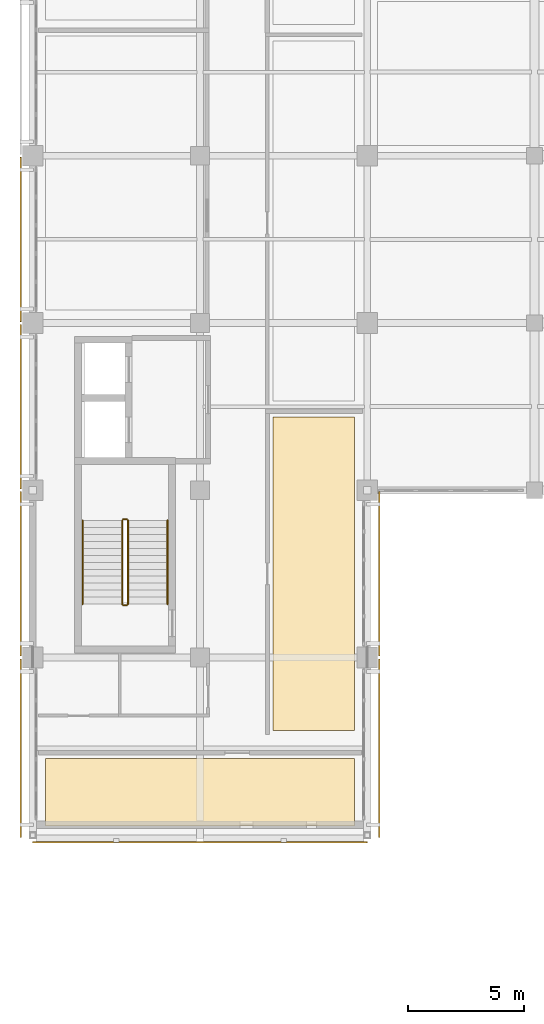
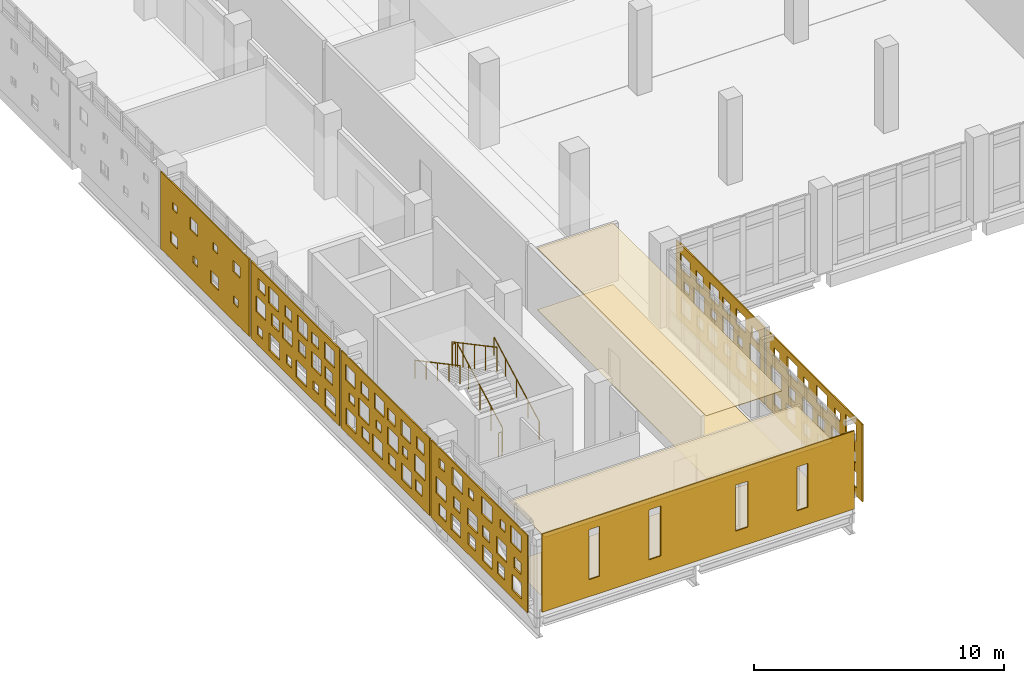
# One storey, part 52 of 62: 11 coverings, 6 railings.
"""IFC4 building model written with IfcOpenShell, lengths in metres."""

from ifc_helpers import new_model, si_unit, direction, frame, origin, origin_2d, place, context, subcontext, project, spatial, polyline, circle, outline, extrude, material, layer, layer_set, type_object, element, save


model = new_model("IFC4")

# Units and contexts
model_context = context("Model", 3, precision=1e-05, world=origin(), true_north=direction((0.0, 1.0)))
body_context = subcontext(model_context, "Body", "Model", "MODEL_VIEW")
ifc_project = project(units=[si_unit("LENGTHUNIT", "METRE"), si_unit("AREAUNIT", "SQUARE_METRE"), si_unit("VOLUMEUNIT", "CUBIC_METRE"), si_unit("PLANEANGLEUNIT", "RADIAN"), si_unit("MASSUNIT", "GRAM", prefix="KILO")], contexts=[model_context])

# Site, building, storey
site_placement = place(None, origin())
site = spatial("IfcSite", under=ifc_project, at=site_placement, CompositionType="ELEMENT")
building_placement = place(site_placement, origin())
building = spatial("IfcBuilding", under=site, at=building_placement, Name="Valkovuoma Quantum and Materials Research Institute", CompositionType="ELEMENT")
storey_placement = place(building_placement, frame((0.0, 0.0, 8.9599609375)))
storey = spatial("IfcBuildingStorey", under=building, at=storey_placement, Name="L02", CompositionType="ELEMENT", Elevation=8.9599609375)

# Coverings
ifc_material_1 = material(Name="Cleanable acoustic mineral-fibre suspended ceiling", Category="masonry")
ifc_layer_1 = layer(ifc_material_1, 0.02490234375)
ifc_layer_set_1 = layer_set([ifc_layer_1], Name="Cleanable acoustic mineral-fibre suspended ceiling")
covering_type_1 = type_object("IfcCoveringType", Name="Cov-CEIL-01", PredefinedType="CEILING", material=ifc_layer_set_1)
covering_1_placement = place(storey_placement, frame((0.0, 0.0, 3.0)))
element("IfcCovering", 1, at=covering_1_placement, inside=storey, type_object=covering_type_1, Name="L02 acoustic ceiling 0053", PredefinedType="CEILING", context=body_context, shape_type="SweptSolid", body=[
    extrude(outline(polyline([(0.550048828125, 21.550048828125), (13.85009765625, 21.550048828125), (13.85009765625, 24.449951171875), (0.550048828125, 24.449951171875), (0.550048828125, 21.550048828125)])), origin(), (0.0, 0.0, 1.0), 0.025146484375),
])
covering_2_placement = place(storey_placement, frame((0.0, 0.0, 3.0)))
element("IfcCovering", 2, at=covering_2_placement, inside=storey, type_object=covering_type_1, Name="L02 acoustic ceiling 0057", PredefinedType="CEILING", context=body_context, shape_type="SweptSolid", body=[
    extrude(outline(polyline([(10.35009765625, 25.64990234375), (13.85009765625, 25.64990234375), (13.85009765625, 39.14990234375), (10.35009765625, 39.14990234375), (10.35009765625, 25.64990234375)])), origin(), (0.0, 0.0, 1.0), 0.025146484375),
])
ifc_material_2 = material(Name="Seamless dissipative laboratory resin flooring", Category="masonry")
ifc_layer_2 = layer(ifc_material_2, 0.014892578125)
ifc_layer_set_2 = layer_set([ifc_layer_2], Name="Seamless dissipative laboratory resin flooring")
covering_type_2 = type_object("IfcCoveringType", Name="Cov-FLOR-01", PredefinedType="FLOORING", material=ifc_layer_set_2)
covering_3_placement = place(storey_placement, origin())
element("IfcCovering", 3, at=covering_3_placement, inside=storey, type_object=covering_type_2, Name="L02 resin flooring 0053", PredefinedType="FLOORING", context=body_context, shape_type="SweptSolid", body=[
    extrude(outline(polyline([(0.550048828125, 21.550048828125), (13.85009765625, 21.550048828125), (13.85009765625, 24.449951171875), (0.550048828125, 24.449951171875), (0.550048828125, 21.550048828125)])), origin(), (0.0, 0.0, 1.0), 0.01513671875),
])
covering_4_placement = place(storey_placement, origin())
element("IfcCovering", 4, at=covering_4_placement, inside=storey, type_object=covering_type_2, Name="L02 resin flooring 0057", PredefinedType="FLOORING", context=body_context, shape_type="SweptSolid", body=[
    extrude(outline(polyline([(10.35009765625, 25.64990234375), (13.85009765625, 25.64990234375), (13.85009765625, 39.14990234375), (10.35009765625, 39.14990234375), (10.35009765625, 25.64990234375)])), origin(), (0.0, 0.0, 1.0), 0.01513671875),
])
ifc_material_3 = material(Name="White powder-coated aluminium architectural panel", Category="aluminium")
ifc_layer_3 = layer(ifc_material_3, 0.054931640625)
ifc_layer_set_3 = layer_set([ifc_layer_3], Name="White powder-coated aluminium architectural panel")
covering_type_3 = type_object("IfcCoveringType", Name="Cov-PERF-DENSE", PredefinedType="CLADDING", material=ifc_layer_set_3)
covering_5_placement = place(storey_placement, frame((-0.52001953125, 21.06005859375, 0.02001953125), z_axis=(0.0, 0.0, 1.0), x_axis=(0.0, 1.0, 0.0)))
element("IfcCovering", 5, at=covering_5_placement, inside=storey, type_object=covering_type_3, Name="L02 graduated perforated white screen W-0013", PredefinedType="CLADDING", context=body_context, shape_type="SweptSolid", body=[
    extrude(outline(polyline([(0.0, 0.0), (7.679931640625, 0.0), (7.679931640625, 3.77001953125), (0.0, 3.77001953125), (0.0, 0.0)]), holes=[polyline([(0.46826171875, 0.39501953125), (0.46826171875, 1.155029296875), (1.228271484375, 1.155029296875), (1.228271484375, 0.39501953125), (0.46826171875, 0.39501953125)]), polyline([(0.518310546875, 1.56494140625), (0.518310546875, 2.10498046875), (1.058349609375, 2.10498046875), (1.058349609375, 1.56494140625), (0.518310546875, 1.56494140625)]), polyline([(0.48828125, 2.625), (0.48828125, 3.465087890625), (1.328369140625, 3.465087890625), (1.328369140625, 2.625), (0.48828125, 2.625)]), polyline([(1.81494140625, 0.485107421875), (1.81494140625, 1.06494140625), (2.39501953125, 1.06494140625), (2.39501953125, 0.485107421875), (1.81494140625, 0.485107421875)]), polyline([(1.64501953125, 1.43505859375), (1.64501953125, 2.235107421875), (2.445068359375, 2.235107421875), (2.445068359375, 1.43505859375), (1.64501953125, 1.43505859375)]), polyline([(1.77490234375, 2.8349609375), (1.77490234375, 3.2548828125), (2.195068359375, 3.2548828125), (2.195068359375, 2.8349609375), (1.77490234375, 2.8349609375)]), polyline([(2.8017578125, 0.39501953125), (2.8017578125, 1.155029296875), (3.561767578125, 1.155029296875), (3.561767578125, 0.39501953125), (2.8017578125, 0.39501953125)]), polyline([(3.03173828125, 1.56494140625), (3.03173828125, 2.10498046875), (3.57177734375, 2.10498046875), (3.57177734375, 1.56494140625), (3.03173828125, 1.56494140625)]), polyline([(2.82177734375, 2.625), (2.82177734375, 3.465087890625), (3.66162109375, 3.465087890625), (3.66162109375, 2.625), (2.82177734375, 2.625)]), polyline([(4.148193359375, 0.485107421875), (4.148193359375, 1.06494140625), (4.728271484375, 1.06494140625), (4.728271484375, 0.485107421875), (4.148193359375, 0.485107421875)]), polyline([(3.978271484375, 1.43505859375), (3.978271484375, 2.235107421875), (4.7783203125, 2.235107421875), (4.7783203125, 1.43505859375), (3.978271484375, 1.43505859375)]), polyline([(4.288330078125, 2.8349609375), (4.288330078125, 3.2548828125), (4.708251953125, 3.2548828125), (4.708251953125, 2.8349609375), (4.288330078125, 2.8349609375)]), polyline([(5.31494140625, 0.39501953125), (5.31494140625, 1.155029296875), (6.074951171875, 1.155029296875), (6.074951171875, 0.39501953125), (5.31494140625, 0.39501953125)]), polyline([(5.364990234375, 1.56494140625), (5.364990234375, 2.10498046875), (5.905029296875, 2.10498046875), (5.905029296875, 1.56494140625), (5.364990234375, 1.56494140625)]), polyline([(5.155029296875, 2.625), (5.155029296875, 3.465087890625), (5.9951171875, 3.465087890625), (5.9951171875, 2.625), (5.155029296875, 2.625)]), polyline([(6.481689453125, 0.485107421875), (6.481689453125, 1.06494140625), (7.061767578125, 1.06494140625), (7.061767578125, 0.485107421875), (6.481689453125, 0.485107421875)]), polyline([(6.49169921875, 1.43505859375), (6.49169921875, 2.235107421875), (7.291748046875, 2.235107421875), (7.291748046875, 1.43505859375), (6.49169921875, 1.43505859375)]), polyline([(6.62158203125, 2.8349609375), (6.62158203125, 3.2548828125), (7.041748046875, 3.2548828125), (7.041748046875, 2.8349609375), (6.62158203125, 2.8349609375)])]), frame((0.0, 0.02734375, 0.0), z_axis=(0.0, -1.0, 0.0), x_axis=(1.0, 0.0, 0.0)), (0.0, 0.0, 1.0), 0.054931640625),
])
covering_6_placement = place(storey_placement, frame((14.919921875, 21.06005859375, 0.02001953125), z_axis=(0.0, 0.0, 1.0), x_axis=(0.0, 1.0, 0.0)))
element("IfcCovering", 6, at=covering_6_placement, inside=storey, type_object=covering_type_3, Name="L02 graduated perforated white screen E-0014", PredefinedType="CLADDING", context=body_context, shape_type="SweptSolid", body=[
    extrude(outline(polyline([(0.0, 0.0), (7.679931640625, 0.0), (7.679931640625, 3.77001953125), (0.0, 3.77001953125), (0.0, 0.0)]), holes=[polyline([(0.46826171875, 0.39501953125), (0.46826171875, 1.155029296875), (1.228271484375, 1.155029296875), (1.228271484375, 0.39501953125), (0.46826171875, 0.39501953125)]), polyline([(0.518310546875, 1.56494140625), (0.518310546875, 2.10498046875), (1.058349609375, 2.10498046875), (1.058349609375, 1.56494140625), (0.518310546875, 1.56494140625)]), polyline([(0.48828125, 2.625), (0.48828125, 3.465087890625), (1.328369140625, 3.465087890625), (1.328369140625, 2.625), (0.48828125, 2.625)]), polyline([(1.81494140625, 0.485107421875), (1.81494140625, 1.06494140625), (2.39501953125, 1.06494140625), (2.39501953125, 0.485107421875), (1.81494140625, 0.485107421875)]), polyline([(1.64501953125, 1.43505859375), (1.64501953125, 2.235107421875), (2.445068359375, 2.235107421875), (2.445068359375, 1.43505859375), (1.64501953125, 1.43505859375)]), polyline([(1.77490234375, 2.8349609375), (1.77490234375, 3.2548828125), (2.195068359375, 3.2548828125), (2.195068359375, 2.8349609375), (1.77490234375, 2.8349609375)]), polyline([(2.8017578125, 0.39501953125), (2.8017578125, 1.155029296875), (3.561767578125, 1.155029296875), (3.561767578125, 0.39501953125), (2.8017578125, 0.39501953125)]), polyline([(3.03173828125, 1.56494140625), (3.03173828125, 2.10498046875), (3.57177734375, 2.10498046875), (3.57177734375, 1.56494140625), (3.03173828125, 1.56494140625)]), polyline([(2.82177734375, 2.625), (2.82177734375, 3.465087890625), (3.66162109375, 3.465087890625), (3.66162109375, 2.625), (2.82177734375, 2.625)]), polyline([(4.148193359375, 0.485107421875), (4.148193359375, 1.06494140625), (4.728271484375, 1.06494140625), (4.728271484375, 0.485107421875), (4.148193359375, 0.485107421875)]), polyline([(3.978271484375, 1.43505859375), (3.978271484375, 2.235107421875), (4.7783203125, 2.235107421875), (4.7783203125, 1.43505859375), (3.978271484375, 1.43505859375)]), polyline([(4.288330078125, 2.8349609375), (4.288330078125, 3.2548828125), (4.708251953125, 3.2548828125), (4.708251953125, 2.8349609375), (4.288330078125, 2.8349609375)]), polyline([(5.31494140625, 0.39501953125), (5.31494140625, 1.155029296875), (6.074951171875, 1.155029296875), (6.074951171875, 0.39501953125), (5.31494140625, 0.39501953125)]), polyline([(5.364990234375, 1.56494140625), (5.364990234375, 2.10498046875), (5.905029296875, 2.10498046875), (5.905029296875, 1.56494140625), (5.364990234375, 1.56494140625)]), polyline([(5.155029296875, 2.625), (5.155029296875, 3.465087890625), (5.9951171875, 3.465087890625), (5.9951171875, 2.625), (5.155029296875, 2.625)]), polyline([(6.481689453125, 0.485107421875), (6.481689453125, 1.06494140625), (7.061767578125, 1.06494140625), (7.061767578125, 0.485107421875), (6.481689453125, 0.485107421875)]), polyline([(6.49169921875, 1.43505859375), (6.49169921875, 2.235107421875), (7.291748046875, 2.235107421875), (7.291748046875, 1.43505859375), (6.49169921875, 1.43505859375)]), polyline([(6.62158203125, 2.8349609375), (6.62158203125, 3.2548828125), (7.041748046875, 3.2548828125), (7.041748046875, 2.8349609375), (6.62158203125, 2.8349609375)])]), frame((0.0, 0.02734375, 0.0), z_axis=(0.0, -1.0, 0.0), x_axis=(1.0, 0.0, 0.0)), (0.0, 0.0, 1.0), 0.054931640625),
])
covering_7_placement = place(storey_placement, frame((-0.52001953125, 28.860107421875, 0.02001953125), z_axis=(0.0, 0.0, 1.0), x_axis=(0.0, 1.0, 0.0)))
element("IfcCovering", 7, at=covering_7_placement, inside=storey, type_object=covering_type_3, Name="L02 graduated perforated white screen W-0015", PredefinedType="CLADDING", context=body_context, shape_type="SweptSolid", body=[
    extrude(outline(polyline([(0.0, 0.0), (7.079833984375, 0.0), (7.079833984375, 3.77001953125), (0.0, 3.77001953125), (0.0, 0.0)]), holes=[polyline([(0.58837890625, 0.554931640625), (0.58837890625, 1.094970703125), (1.12841796875, 1.094970703125), (1.12841796875, 0.554931640625), (0.58837890625, 0.554931640625)]), polyline([(0.37841796875, 1.465087890625), (0.37841796875, 2.304931640625), (1.21826171875, 2.304931640625), (1.21826171875, 1.465087890625), (0.37841796875, 1.465087890625)]), polyline([(0.4482421875, 2.655029296875), (0.4482421875, 3.235107421875), (1.0283203125, 3.235107421875), (1.0283203125, 2.655029296875), (0.4482421875, 2.655029296875)]), polyline([(1.43505859375, 0.425048828125), (1.43505859375, 1.22509765625), (2.235107421875, 1.22509765625), (2.235107421875, 0.425048828125), (1.43505859375, 0.425048828125)]), polyline([(1.7451171875, 1.675048828125), (1.7451171875, 2.094970703125), (2.1650390625, 2.094970703125), (2.1650390625, 1.675048828125), (1.7451171875, 1.675048828125)]), polyline([(1.514892578125, 2.56494140625), (1.514892578125, 3.324951171875), (2.27490234375, 3.324951171875), (2.27490234375, 2.56494140625), (1.514892578125, 2.56494140625)]), polyline([(2.7216796875, 0.554931640625), (2.7216796875, 1.094970703125), (3.26171875, 1.094970703125), (3.26171875, 0.554931640625), (2.7216796875, 0.554931640625)]), polyline([(2.51171875, 1.465087890625), (2.51171875, 2.304931640625), (3.351806640625, 2.304931640625), (3.351806640625, 1.465087890625), (2.51171875, 1.465087890625)]), polyline([(2.76171875, 2.655029296875), (2.76171875, 3.235107421875), (3.341796875, 3.235107421875), (3.341796875, 2.655029296875), (2.76171875, 2.655029296875)]), polyline([(3.748291015625, 0.425048828125), (3.748291015625, 1.22509765625), (4.54833984375, 1.22509765625), (4.54833984375, 0.425048828125), (3.748291015625, 0.425048828125)]), polyline([(3.87841796875, 1.675048828125), (3.87841796875, 2.094970703125), (4.29833984375, 2.094970703125), (4.29833984375, 1.675048828125), (3.87841796875, 1.675048828125)]), polyline([(3.648193359375, 2.56494140625), (3.648193359375, 3.324951171875), (4.408203125, 3.324951171875), (4.408203125, 2.56494140625), (3.648193359375, 2.56494140625)]), polyline([(4.85498046875, 0.554931640625), (4.85498046875, 1.094970703125), (5.39501953125, 1.094970703125), (5.39501953125, 0.554931640625), (4.85498046875, 0.554931640625)]), polyline([(4.824951171875, 1.465087890625), (4.824951171875, 2.304931640625), (5.6650390625, 2.304931640625), (5.6650390625, 1.465087890625), (4.824951171875, 1.465087890625)]), polyline([(4.89501953125, 2.655029296875), (4.89501953125, 3.235107421875), (5.47509765625, 3.235107421875), (5.47509765625, 2.655029296875), (4.89501953125, 2.655029296875)]), polyline([(5.881591796875, 0.425048828125), (5.881591796875, 1.22509765625), (6.681640625, 1.22509765625), (6.681640625, 0.425048828125), (5.881591796875, 0.425048828125)]), polyline([(6.01171875, 1.675048828125), (6.01171875, 2.094970703125), (6.431640625, 2.094970703125), (6.431640625, 1.675048828125), (6.01171875, 1.675048828125)]), polyline([(5.961669921875, 2.56494140625), (5.961669921875, 3.324951171875), (6.7216796875, 3.324951171875), (6.7216796875, 2.56494140625), (5.961669921875, 2.56494140625)])]), frame((0.0, 0.02734375, 0.0), z_axis=(0.0, -1.0, 0.0), x_axis=(1.0, 0.0, 0.0)), (0.0, 0.0, 1.0), 0.054931640625),
])
covering_8_placement = place(storey_placement, frame((14.919921875, 28.860107421875, 0.02001953125), z_axis=(0.0, 0.0, 1.0), x_axis=(0.0, 1.0, 0.0)))
element("IfcCovering", 8, at=covering_8_placement, inside=storey, type_object=covering_type_3, Name="L02 graduated perforated white screen E-0016", PredefinedType="CLADDING", context=body_context, shape_type="SweptSolid", body=[
    extrude(outline(polyline([(0.0, 0.0), (7.079833984375, 0.0), (7.079833984375, 3.77001953125), (0.0, 3.77001953125), (0.0, 0.0)]), holes=[polyline([(0.58837890625, 0.554931640625), (0.58837890625, 1.094970703125), (1.12841796875, 1.094970703125), (1.12841796875, 0.554931640625), (0.58837890625, 0.554931640625)]), polyline([(0.37841796875, 1.465087890625), (0.37841796875, 2.304931640625), (1.21826171875, 2.304931640625), (1.21826171875, 1.465087890625), (0.37841796875, 1.465087890625)]), polyline([(0.4482421875, 2.655029296875), (0.4482421875, 3.235107421875), (1.0283203125, 3.235107421875), (1.0283203125, 2.655029296875), (0.4482421875, 2.655029296875)]), polyline([(1.43505859375, 0.425048828125), (1.43505859375, 1.22509765625), (2.235107421875, 1.22509765625), (2.235107421875, 0.425048828125), (1.43505859375, 0.425048828125)]), polyline([(1.7451171875, 1.675048828125), (1.7451171875, 2.094970703125), (2.1650390625, 2.094970703125), (2.1650390625, 1.675048828125), (1.7451171875, 1.675048828125)]), polyline([(1.514892578125, 2.56494140625), (1.514892578125, 3.324951171875), (2.27490234375, 3.324951171875), (2.27490234375, 2.56494140625), (1.514892578125, 2.56494140625)]), polyline([(2.7216796875, 0.554931640625), (2.7216796875, 1.094970703125), (3.26171875, 1.094970703125), (3.26171875, 0.554931640625), (2.7216796875, 0.554931640625)]), polyline([(2.51171875, 1.465087890625), (2.51171875, 2.304931640625), (3.351806640625, 2.304931640625), (3.351806640625, 1.465087890625), (2.51171875, 1.465087890625)]), polyline([(2.76171875, 2.655029296875), (2.76171875, 3.235107421875), (3.341796875, 3.235107421875), (3.341796875, 2.655029296875), (2.76171875, 2.655029296875)]), polyline([(3.748291015625, 0.425048828125), (3.748291015625, 1.22509765625), (4.54833984375, 1.22509765625), (4.54833984375, 0.425048828125), (3.748291015625, 0.425048828125)]), polyline([(3.87841796875, 1.675048828125), (3.87841796875, 2.094970703125), (4.29833984375, 2.094970703125), (4.29833984375, 1.675048828125), (3.87841796875, 1.675048828125)]), polyline([(3.648193359375, 2.56494140625), (3.648193359375, 3.324951171875), (4.408203125, 3.324951171875), (4.408203125, 2.56494140625), (3.648193359375, 2.56494140625)]), polyline([(4.85498046875, 0.554931640625), (4.85498046875, 1.094970703125), (5.39501953125, 1.094970703125), (5.39501953125, 0.554931640625), (4.85498046875, 0.554931640625)]), polyline([(4.824951171875, 1.465087890625), (4.824951171875, 2.304931640625), (5.6650390625, 2.304931640625), (5.6650390625, 1.465087890625), (4.824951171875, 1.465087890625)]), polyline([(4.89501953125, 2.655029296875), (4.89501953125, 3.235107421875), (5.47509765625, 3.235107421875), (5.47509765625, 2.655029296875), (4.89501953125, 2.655029296875)]), polyline([(5.881591796875, 0.425048828125), (5.881591796875, 1.22509765625), (6.681640625, 1.22509765625), (6.681640625, 0.425048828125), (5.881591796875, 0.425048828125)]), polyline([(6.01171875, 1.675048828125), (6.01171875, 2.094970703125), (6.431640625, 2.094970703125), (6.431640625, 1.675048828125), (6.01171875, 1.675048828125)]), polyline([(5.961669921875, 2.56494140625), (5.961669921875, 3.324951171875), (6.7216796875, 3.324951171875), (6.7216796875, 2.56494140625), (5.961669921875, 2.56494140625)])]), frame((0.0, 0.02734375, 0.0), z_axis=(0.0, -1.0, 0.0), x_axis=(1.0, 0.0, 0.0)), (0.0, 0.0, 1.0), 0.054931640625),
])
covering_9_placement = place(storey_placement, frame((-0.52001953125, 36.06005859375, 0.02001953125), z_axis=(0.0, 0.0, 1.0), x_axis=(0.0, 1.0, 0.0)))
element("IfcCovering", 9, at=covering_9_placement, inside=storey, type_object=covering_type_3, Name="L02 graduated perforated white screen W-0017", PredefinedType="CLADDING", context=body_context, shape_type="SweptSolid", body=[
    extrude(outline(polyline([(0.0, 0.0), (7.079833984375, 0.0), (7.079833984375, 3.77001953125), (0.0, 3.77001953125), (0.0, 0.0)]), holes=[polyline([(0.318359375, 0.304931640625), (0.318359375, 1.14501953125), (1.158203125, 1.14501953125), (1.158203125, 0.304931640625), (0.318359375, 0.304931640625)]), polyline([(0.568359375, 1.64501953125), (0.568359375, 2.22509765625), (1.148193359375, 2.22509765625), (1.148193359375, 1.64501953125), (0.568359375, 1.64501953125)]), polyline([(0.398193359375, 2.594970703125), (0.398193359375, 3.39501953125), (1.1982421875, 3.39501953125), (1.1982421875, 2.594970703125), (0.398193359375, 2.594970703125)]), polyline([(1.68505859375, 0.514892578125), (1.68505859375, 0.93505859375), (2.10498046875, 0.93505859375), (2.10498046875, 0.514892578125), (1.68505859375, 0.514892578125)]), polyline([(1.455078125, 1.554931640625), (1.455078125, 2.31494140625), (2.215087890625, 2.31494140625), (2.215087890625, 1.554931640625), (1.455078125, 1.554931640625)]), polyline([(1.68505859375, 2.72509765625), (1.68505859375, 3.264892578125), (2.22509765625, 3.264892578125), (2.22509765625, 2.72509765625), (1.68505859375, 2.72509765625)]), polyline([(2.631591796875, 0.304931640625), (2.631591796875, 1.14501953125), (3.4716796875, 1.14501953125), (3.4716796875, 0.304931640625), (2.631591796875, 0.304931640625)]), polyline([(2.70166015625, 1.64501953125), (2.70166015625, 2.22509765625), (3.28173828125, 2.22509765625), (3.28173828125, 1.64501953125), (2.70166015625, 1.64501953125)]), polyline([(2.53173828125, 2.594970703125), (2.53173828125, 3.39501953125), (3.331787109375, 3.39501953125), (3.331787109375, 2.594970703125), (2.53173828125, 2.594970703125)]), polyline([(3.818359375, 0.514892578125), (3.818359375, 0.93505859375), (4.23828125, 0.93505859375), (4.23828125, 0.514892578125), (3.818359375, 0.514892578125)]), polyline([(3.768310546875, 1.554931640625), (3.768310546875, 2.31494140625), (4.5283203125, 2.31494140625), (4.5283203125, 1.554931640625), (3.768310546875, 1.554931640625)]), polyline([(3.818359375, 2.72509765625), (3.818359375, 3.264892578125), (4.3583984375, 3.264892578125), (4.3583984375, 2.72509765625), (3.818359375, 2.72509765625)]), polyline([(4.764892578125, 0.304931640625), (4.764892578125, 1.14501953125), (5.60498046875, 1.14501953125), (5.60498046875, 0.304931640625), (4.764892578125, 0.304931640625)]), polyline([(4.8349609375, 1.64501953125), (4.8349609375, 2.22509765625), (5.4150390625, 2.22509765625), (5.4150390625, 1.64501953125), (4.8349609375, 1.64501953125)]), polyline([(4.844970703125, 2.594970703125), (4.844970703125, 3.39501953125), (5.64501953125, 3.39501953125), (5.64501953125, 2.594970703125), (4.844970703125, 2.594970703125)]), polyline([(6.131591796875, 0.514892578125), (6.131591796875, 0.93505859375), (6.5517578125, 0.93505859375), (6.5517578125, 0.514892578125), (6.131591796875, 0.514892578125)]), polyline([(5.901611328125, 1.554931640625), (5.901611328125, 2.31494140625), (6.66162109375, 2.31494140625), (6.66162109375, 1.554931640625), (5.901611328125, 1.554931640625)]), polyline([(5.95166015625, 2.72509765625), (5.95166015625, 3.264892578125), (6.49169921875, 3.264892578125), (6.49169921875, 2.72509765625), (5.95166015625, 2.72509765625)])]), frame((0.0, 0.02734375, 0.0), z_axis=(0.0, -1.0, 0.0), x_axis=(1.0, 0.0, 0.0)), (0.0, 0.0, 1.0), 0.054931640625),
])
ifc_material_4 = material(Name="White powder-coated aluminium architectural panel", Category="aluminium")
ifc_layer_4 = layer(ifc_material_4, 0.054931640625)
ifc_layer_set_4 = layer_set([ifc_layer_4], Name="White powder-coated aluminium architectural panel")
covering_type_4 = type_object("IfcCoveringType", Name="Cov-PERF-MID", PredefinedType="CLADDING", material=ifc_layer_set_4)
covering_10_placement = place(storey_placement, frame((-0.52001953125, 43.260009765625, 0.02001953125), z_axis=(0.0, 0.0, 1.0), x_axis=(0.0, 1.0, 0.0)))
element("IfcCovering", 10, at=covering_10_placement, inside=storey, type_object=covering_type_4, Name="L02 graduated perforated white screen W-0018", PredefinedType="CLADDING", context=body_context, shape_type="SweptSolid", body=[
    extrude(outline(polyline([(0.0, 0.0), (7.080078125, 0.0), (7.080078125, 3.77001953125), (0.0, 3.77001953125), (0.0, 0.0)]), holes=[polyline([(0.882568359375, 0.862548828125), (0.882568359375, 1.242431640625), (1.262451171875, 1.242431640625), (1.262451171875, 0.862548828125), (0.882568359375, 0.862548828125)]), polyline([(0.742431640625, 2.3974609375), (0.742431640625, 2.9375), (1.282470703125, 2.9375), (1.282470703125, 2.3974609375), (0.742431640625, 2.3974609375)]), polyline([(2.467529296875, 0.742431640625), (2.467529296875, 1.362548828125), (3.08740234375, 1.362548828125), (3.08740234375, 0.742431640625), (2.467529296875, 0.742431640625)]), polyline([(2.527587890625, 2.4775390625), (2.527587890625, 2.857421875), (2.907470703125, 2.857421875), (2.907470703125, 2.4775390625), (2.527587890625, 2.4775390625)]), polyline([(4.132568359375, 0.882568359375), (4.132568359375, 1.222412109375), (4.472412109375, 1.222412109375), (4.472412109375, 0.882568359375), (4.132568359375, 0.882568359375)]), polyline([(4.112548828125, 2.357421875), (4.112548828125, 2.9775390625), (4.732421875, 2.9775390625), (4.732421875, 2.357421875), (4.112548828125, 2.357421875)]), polyline([(5.737548828125, 0.782470703125), (5.737548828125, 1.322509765625), (6.277587890625, 1.322509765625), (6.277587890625, 0.782470703125), (5.737548828125, 0.782470703125)]), polyline([(5.777587890625, 2.49755859375), (5.777587890625, 2.83740234375), (6.117431640625, 2.83740234375), (6.117431640625, 2.49755859375), (5.777587890625, 2.49755859375)])]), frame((0.0, 0.02734375, 0.0), z_axis=(0.0, -1.0, 0.0), x_axis=(1.0, 0.0, 0.0)), (0.0, 0.0, 1.0), 0.054931640625),
])
ifc_material_5 = material(Name="White powder-coated aluminium architectural panel", Category="aluminium")
ifc_layer_5 = layer(ifc_material_5, 0.054931640625)
ifc_layer_set_5 = layer_set([ifc_layer_5], Name="White powder-coated aluminium architectural panel")
covering_type_5 = type_object("IfcCoveringType", Name="Cov-WHITE-01", PredefinedType="CLADDING", material=ifc_layer_set_5)
covering_11_placement = place(storey_placement, frame((0.0, 20.85009765625, 0.0), z_axis=(0.0, 0.0, 1.0), x_axis=(1.0, 0.0, 0.0)))
element("IfcCovering", 11, at=covering_11_placement, inside=storey, type_object=covering_type_5, Name="L02 south white slot-window end skin", PredefinedType="CLADDING", context=body_context, shape_type="SweptSolid", body=[
    extrude(outline(polyline([(0.0, 0.0), (14.39990234375, 0.0), (14.39990234375, 3.81005859375), (0.0, 3.81005859375), (0.0, 0.0)]), holes=[polyline([(2.155029296875, 0.830078125), (2.155029296875, 3.27001953125), (2.64501953125, 3.27001953125), (2.64501953125, 0.830078125), (2.155029296875, 0.830078125)]), polyline([(4.929931640625, 0.830078125), (4.929931640625, 3.27001953125), (5.469970703125, 3.27001953125), (5.469970703125, 0.830078125), (4.929931640625, 0.830078125)]), polyline([(8.905029296875, 0.830078125), (8.905029296875, 3.070068359375), (9.4951171875, 3.070068359375), (9.4951171875, 0.830078125), (8.905029296875, 0.830078125)]), polyline([(11.7548828125, 0.830078125), (11.7548828125, 2.969970703125), (12.2451171875, 2.969970703125), (12.2451171875, 0.830078125), (11.7548828125, 0.830078125)])]), frame((0.0, 0.02734375, 0.0), z_axis=(0.0, -1.0, 0.0), x_axis=(1.0, 0.0, 0.0)), (0.0, 0.0, 1.0), 0.054931640625),
])

# Railings
ifc_material_6 = material(Name="Painted steel stair balustrade", Category="steel")
railing_type_1 = type_object("IfcRailingType", Name="Rail-GRD-ST", PredefinedType="BALUSTRADE", material=ifc_material_6)
railing_1_placement = place(storey_placement, frame((4.10009765625, 31.10009765625, 0.16015625)))
element("IfcRailing", 12, at=railing_1_placement, inside=storey, type_object=railing_type_1, Name="L02 ST-1 stair guard 1", PredefinedType="BALUSTRADE", context=body_context, shape_type="SweptSolid", body=[
    extrude(circle(Radius=0.02392578125, at=origin_2d()), frame((0.0, 0.0, 1.17578125), z_axis=(0.0, 0.882352941176, 0.470588235294), x_axis=(-1.0, 0.0, 0.0)), (0.0, 0.0, 1.0), 4.079833984375),
    extrude(circle(Radius=0.02099609375, at=origin_2d()), origin(), (0.0, 0.0, 1.0), 1.15185546875),
    extrude(circle(Radius=0.02099609375, at=origin_2d()), frame((0.0, 0.89990234375, 0.47998046875)), (0.0, 0.0, 1.0), 1.15185546875),
    extrude(circle(Radius=0.02099609375, at=origin_2d()), frame((0.0, 1.7998046875, 0.9599609375)), (0.0, 0.0, 1.0), 1.15185546875),
    extrude(circle(Radius=0.02099609375, at=origin_2d()), frame((0.0, 2.699951171875, 1.43994140625)), (0.0, 0.0, 1.0), 1.15185546875),
    extrude(circle(Radius=0.02099609375, at=origin_2d()), frame((0.0, 3.599853515625, 1.919921875)), (0.0, 0.0, 1.0), 1.15185546875),
])
railing_2_placement = place(storey_placement, frame((4.050048828125, 34.75, 2.080078125)))
element("IfcRailing", 13, at=railing_2_placement, inside=storey, type_object=railing_type_1, Name="L02 ST-1 stair guard 2", PredefinedType="BALUSTRADE", context=body_context, shape_type="SweptSolid", body=[
    extrude(circle(Radius=0.02392578125, at=origin_2d()), frame((0.0, 0.0, 1.17578125), z_axis=(-1.0, 0.0, 0.0), x_axis=(0.0, -1.0, 0.0)), (0.0, 0.0, 1.0), 0.150146484375),
    extrude(circle(Radius=0.02099609375, at=origin_2d()), origin(), (0.0, 0.0, 1.0), 1.15185546875),
    extrude(circle(Radius=0.02099609375, at=origin_2d()), frame((-0.150146484375, 0.0, 0.0)), (0.0, 0.0, 1.0), 1.15185546875),
])
railing_3_placement = place(storey_placement, frame((3.85009765625, 34.699951171875, 2.239990234375)))
element("IfcRailing", 14, at=railing_3_placement, inside=storey, type_object=railing_type_1, Name="L02 ST-1 stair guard 3", PredefinedType="BALUSTRADE", context=body_context, shape_type="SweptSolid", body=[
    extrude(circle(Radius=0.02392578125, at=origin_2d()), frame((0.0, 0.0, 1.17578125), z_axis=(0.0, -0.882328093246, 0.470634822203), x_axis=(1.0, 0.0, 0.0)), (0.0, 0.0, 1.0), 4.079833984375),
    extrude(circle(Radius=0.02099609375, at=origin_2d()), origin(), (0.0, 0.0, 1.0), 1.15185546875),
    extrude(circle(Radius=0.02099609375, at=origin_2d()), frame((0.0, -0.89990234375, 0.47998046875)), (0.0, 0.0, 1.0), 1.15185546875),
    extrude(circle(Radius=0.02099609375, at=origin_2d()), frame((0.0, -1.7998046875, 0.9599609375)), (0.0, 0.0, 1.0), 1.15185546875),
    extrude(circle(Radius=0.02099609375, at=origin_2d()), frame((0.0, -2.699951171875, 1.440185546875)), (0.0, 0.0, 1.0), 1.15185546875),
    extrude(circle(Radius=0.02099609375, at=origin_2d()), frame((0.0, -3.599853515625, 1.920166015625)), (0.0, 0.0, 1.0), 1.15185546875),
])
railing_4_placement = place(storey_placement, frame((4.050048828125, 31.050048828125, 0.0)))
element("IfcRailing", 15, at=railing_4_placement, inside=storey, type_object=railing_type_1, Name="L02 ST-1 stair guard 4", PredefinedType="BALUSTRADE", context=body_context, shape_type="SweptSolid", body=[
    extrude(circle(Radius=0.02392578125, at=origin_2d()), frame((0.0, 0.0, 1.17578125), z_axis=(-1.0, 0.0, 0.0), x_axis=(0.0, -1.0, 0.0)), (0.0, 0.0, 1.0), 0.150146484375),
    extrude(circle(Radius=0.02099609375, at=origin_2d()), origin(), (0.0, 0.0, 1.0), 1.15185546875),
    extrude(circle(Radius=0.02099609375, at=origin_2d()), frame((-0.150146484375, 0.0, 0.0)), (0.0, 0.0, 1.0), 1.15185546875),
])
ifc_material_7 = material(Name="Brushed stainless steel handrail", Category="steel")
railing_type_2 = type_object("IfcRailingType", Name="Rail-HR-ST", PredefinedType="HANDRAIL", material=ifc_material_7)
railing_5_placement = place(storey_placement, frame((5.800048828125, 31.10009765625, 0.16015625)))
element("IfcRailing", 16, at=railing_5_placement, inside=storey, type_object=railing_type_2, Name="L02 ST-1 stair handrail 1", PredefinedType="HANDRAIL", context=body_context, shape_type="SweptSolid", body=[
    extrude(circle(Radius=0.02392578125, at=origin_2d()), frame((0.0, 0.0, 0.8759765625), z_axis=(0.0, 0.882352941176, 0.470588235294), x_axis=(-1.0, 0.0, 0.0)), (0.0, 0.0, 1.0), 4.079833984375),
    extrude(circle(Radius=0.02099609375, at=origin_2d()), origin(), (0.0, 0.0, 1.0), 0.851806640625),
    extrude(circle(Radius=0.02099609375, at=origin_2d()), frame((0.0, 0.89990234375, 0.47998046875)), (0.0, 0.0, 1.0), 0.851806640625),
    extrude(circle(Radius=0.02099609375, at=origin_2d()), frame((0.0, 1.7998046875, 0.9599609375)), (0.0, 0.0, 1.0), 0.851806640625),
    extrude(circle(Radius=0.02099609375, at=origin_2d()), frame((0.0, 2.699951171875, 1.43994140625)), (0.0, 0.0, 1.0), 0.851806640625),
    extrude(circle(Radius=0.02099609375, at=origin_2d()), frame((0.0, 3.599853515625, 1.919921875)), (0.0, 0.0, 1.0), 0.851806640625),
])
railing_6_placement = place(storey_placement, frame((2.14990234375, 34.699951171875, 2.239990234375)))
element("IfcRailing", 17, at=railing_6_placement, inside=storey, type_object=railing_type_2, Name="L02 ST-1 stair handrail 2", PredefinedType="HANDRAIL", context=body_context, shape_type="SweptSolid", body=[
    extrude(circle(Radius=0.02392578125, at=origin_2d()), frame((0.0, 0.0, 0.8759765625), z_axis=(0.0, -0.882328093246, 0.470634822203), x_axis=(1.0, 0.0, 0.0)), (0.0, 0.0, 1.0), 4.079833984375),
    extrude(circle(Radius=0.02099609375, at=origin_2d()), origin(), (0.0, 0.0, 1.0), 0.851806640625),
    extrude(circle(Radius=0.02099609375, at=origin_2d()), frame((0.0, -0.89990234375, 0.47998046875)), (0.0, 0.0, 1.0), 0.851806640625),
    extrude(circle(Radius=0.02099609375, at=origin_2d()), frame((0.0, -1.7998046875, 0.9599609375)), (0.0, 0.0, 1.0), 0.851806640625),
    extrude(circle(Radius=0.02099609375, at=origin_2d()), frame((0.0, -2.699951171875, 1.440185546875)), (0.0, 0.0, 1.0), 0.851806640625),
    extrude(circle(Radius=0.02099609375, at=origin_2d()), frame((0.0, -3.599853515625, 1.920166015625)), (0.0, 0.0, 1.0), 0.851806640625),
])

save(model, "model.ifc")
